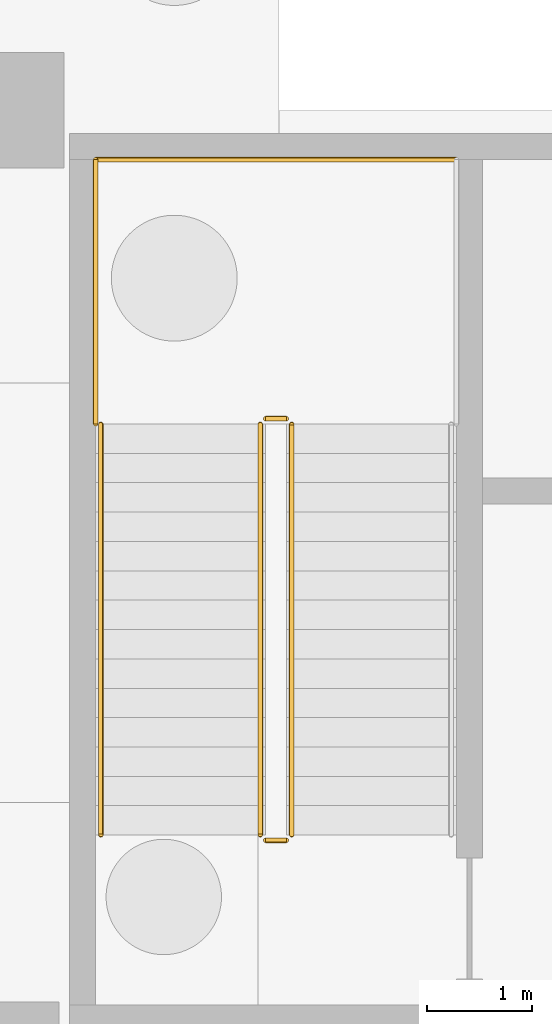
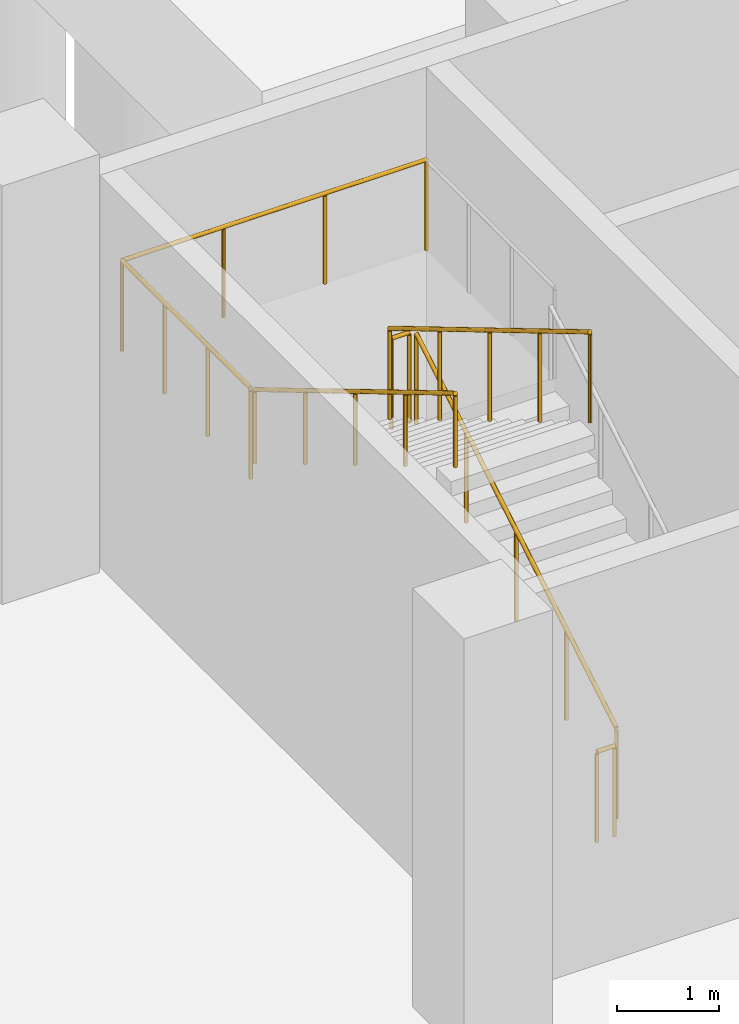
# One storey, part 26 of 37: 7 railings.
"""IFC4 building model written with IfcOpenShell, lengths in metres."""

from ifc_helpers import new_model, si_unit, direction, frame, origin, origin_2d, place, context, subcontext, project, spatial, circle, extrude, material, type_object, element, save


model = new_model("IFC4")

# Units and contexts
model_context = context("Model", 3, precision=1e-05, world=origin(), true_north=direction((0.0, 1.0)))
body_context = subcontext(model_context, "Body", "Model", "MODEL_VIEW")
ifc_project = project(units=[si_unit("LENGTHUNIT", "METRE"), si_unit("AREAUNIT", "SQUARE_METRE"), si_unit("VOLUMEUNIT", "CUBIC_METRE"), si_unit("PLANEANGLEUNIT", "RADIAN"), si_unit("MASSUNIT", "GRAM", prefix="KILO")], contexts=[model_context])

# Site, building, storey
site_placement = place(None, origin())
site = spatial("IfcSite", under=ifc_project, at=site_placement, CompositionType="ELEMENT")
building_placement = place(site_placement, origin())
building = spatial("IfcBuilding", under=site, at=building_placement, Name="Barlavento Convention Centre", CompositionType="ELEMENT")
storey_placement = place(building_placement, frame((0.0, 0.0, -5.0)))
storey = spatial("IfcBuildingStorey", under=building, at=storey_placement, Name="B1", CompositionType="ELEMENT", Elevation=-5.0)

# Railings
ifc_material_1 = material(Name="Stainless steel and laminated glass balustrade", Category="steel")
railing_type_1 = type_object("IfcRailingType", Name="ARC-RAL-BAL-1100", PredefinedType="BALUSTRADE", material=ifc_material_1)
railing_1_placement = place(storey_placement, frame((119.719970703125, 47.090087890625, 0.166748046875)))
element("IfcRailing", 1, at=railing_1_placement, inside=storey, type_object=railing_type_1, Name="B1 ST04 stair guard 1", PredefinedType="BALUSTRADE", context=body_context, shape_type="SweptSolid", body=[
    extrude(circle(Radius=0.02392578125, at=origin_2d()), frame((0.0, 0.0, 1.076171875), z_axis=(0.0, 0.859296244711, 0.511478214419), x_axis=(-1.0, 0.0, 0.0)), (0.0, 0.0, 1.0), 4.561767578125),
    extrude(circle(Radius=0.02099609375, at=origin_2d()), origin(), (0.0, 0.0, 1.0), 1.052001953125),
    extrude(circle(Radius=0.02099609375, at=origin_2d()), frame((0.0, 0.97998046875, 0.583251953125)), (0.0, 0.0, 1.0), 1.052001953125),
    extrude(circle(Radius=0.02099609375, at=origin_2d()), frame((0.0, 1.9599609375, 1.16650390625)), (0.0, 0.0, 1.0), 1.052001953125),
    extrude(circle(Radius=0.02099609375, at=origin_2d()), frame((0.0, 2.93994140625, 1.75)), (0.0, 0.0, 1.0), 1.052001953125),
    extrude(circle(Radius=0.02099609375, at=origin_2d()), frame((0.0, 3.919921875, 2.333251953125)), (0.0, 0.0, 1.0), 1.052001953125),
])
railing_2_placement = place(storey_placement, frame((119.669921875, 51.06005859375, 2.5)))
element("IfcRailing", 2, at=railing_2_placement, inside=storey, type_object=railing_type_1, Name="B1 ST04 stair guard 2", PredefinedType="BALUSTRADE", context=body_context, shape_type="SweptSolid", body=[
    extrude(circle(Radius=0.02392578125, at=origin_2d()), frame((0.0, 0.0, 1.076171875), z_axis=(-1.0, 0.0, 0.0), x_axis=(0.0, -1.0, 0.0)), (0.0, 0.0, 1.0), 0.199951171875),
    extrude(circle(Radius=0.02099609375, at=origin_2d()), origin(), (0.0, 0.0, 1.0), 1.052001953125),
    extrude(circle(Radius=0.02099609375, at=origin_2d()), frame((-0.199951171875, 0.0, 0.0)), (0.0, 0.0, 1.0), 1.052001953125),
])
railing_3_placement = place(storey_placement, frame((119.419921875, 51.010009765625, 2.666748046875)))
element("IfcRailing", 3, at=railing_3_placement, inside=storey, type_object=railing_type_1, Name="B1 ST04 stair guard 3", PredefinedType="BALUSTRADE", context=body_context, shape_type="SweptSolid", body=[
    extrude(circle(Radius=0.02392578125, at=origin_2d()), frame((0.0, 0.0, 1.076171875), z_axis=(0.0, -0.859296244711, 0.511478214419), x_axis=(1.0, 0.0, 0.0)), (0.0, 0.0, 1.0), 4.561767578125),
    extrude(circle(Radius=0.02099609375, at=origin_2d()), origin(), (0.0, 0.0, 1.0), 1.052001953125),
    extrude(circle(Radius=0.02099609375, at=origin_2d()), frame((0.0, -0.97998046875, 0.583251953125)), (0.0, 0.0, 1.0), 1.052001953125),
    extrude(circle(Radius=0.02099609375, at=origin_2d()), frame((0.0, -1.9599609375, 1.16650390625)), (0.0, 0.0, 1.0), 1.052001953125),
    extrude(circle(Radius=0.02099609375, at=origin_2d()), frame((0.0, -2.93994140625, 1.75)), (0.0, 0.0, 1.0), 1.052001953125),
    extrude(circle(Radius=0.02099609375, at=origin_2d()), frame((0.0, -3.919921875, 2.333251953125)), (0.0, 0.0, 1.0), 1.052001953125),
])
railing_4_placement = place(storey_placement, frame((119.669921875, 47.0400390625, 0.0)))
element("IfcRailing", 4, at=railing_4_placement, inside=storey, type_object=railing_type_1, Name="B1 ST04 stair guard 4", PredefinedType="BALUSTRADE", context=body_context, shape_type="SweptSolid", body=[
    extrude(circle(Radius=0.02392578125, at=origin_2d()), frame((0.0, 0.0, 1.076171875), z_axis=(-1.0, 0.0, 0.0), x_axis=(0.0, -1.0, 0.0)), (0.0, 0.0, 1.0), 0.199951171875),
    extrude(circle(Radius=0.02099609375, at=origin_2d()), origin(), (0.0, 0.0, 1.0), 1.052001953125),
    extrude(circle(Radius=0.02099609375, at=origin_2d()), frame((-0.199951171875, 0.0, 0.0)), (0.0, 0.0, 1.0), 1.052001953125),
])
railing_5_placement = place(storey_placement, frame((117.85009765625, 51.010009765625, 2.5)))
element("IfcRailing", 5, at=railing_5_placement, inside=storey, type_object=railing_type_1, Name="B1 landing guard GR01", PredefinedType="BALUSTRADE", context=body_context, shape_type="SweptSolid", body=[
    extrude(circle(Radius=0.02392578125, at=origin_2d()), frame((0.0, 0.0, 1.076171875), z_axis=(0.0, 1.0, 0.0), x_axis=(-1.0, 0.0, 0.0)), (0.0, 0.0, 1.0), 2.52001953125),
    extrude(circle(Radius=0.02099609375, at=origin_2d()), origin(), (0.0, 0.0, 1.0), 1.052001953125),
    extrude(circle(Radius=0.02099609375, at=origin_2d()), frame((0.0, 0.840087890625, 0.0)), (0.0, 0.0, 1.0), 1.052001953125),
    extrude(circle(Radius=0.02099609375, at=origin_2d()), frame((0.0, 1.679931640625, 0.0)), (0.0, 0.0, 1.0), 1.052001953125),
    extrude(circle(Radius=0.02099609375, at=origin_2d()), frame((0.0, 2.52001953125, 0.0)), (0.0, 0.0, 1.0), 1.052001953125),
])
railing_6_placement = place(storey_placement, frame((121.2900390625, 53.530029296875, 2.5)))
element("IfcRailing", 6, at=railing_6_placement, inside=storey, type_object=railing_type_1, Name="B1 landing guard GR01", PredefinedType="BALUSTRADE", context=body_context, shape_type="SweptSolid", body=[
    extrude(circle(Radius=0.02392578125, at=origin_2d()), frame((0.0, 0.0, 1.076171875), z_axis=(-1.0, 0.0, 0.0), x_axis=(0.0, -1.0, 0.0)), (0.0, 0.0, 1.0), 3.43994140625),
    extrude(circle(Radius=0.02099609375, at=origin_2d()), origin(), (0.0, 0.0, 1.0), 1.052001953125),
    extrude(circle(Radius=0.02099609375, at=origin_2d()), frame((-1.146728515625, 0.0, 0.0)), (0.0, 0.0, 1.0), 1.052001953125),
    extrude(circle(Radius=0.02099609375, at=origin_2d()), frame((-2.293212890625, 0.0, 0.0)), (0.0, 0.0, 1.0), 1.052001953125),
    extrude(circle(Radius=0.02099609375, at=origin_2d()), frame((-3.43994140625, 0.0, 0.0)), (0.0, 0.0, 1.0), 1.052001953125),
])
ifc_material_2 = material(Name="Brushed stainless steel tubular handrail", Category="steel")
railing_type_2 = type_object("IfcRailingType", Name="ARC-RAL-HR-900", PredefinedType="HANDRAIL", material=ifc_material_2)
railing_7_placement = place(storey_placement, frame((117.89990234375, 51.010009765625, 2.666748046875)))
element("IfcRailing", 7, at=railing_7_placement, inside=storey, type_object=railing_type_2, Name="B1 ST04 stair handrail 2", PredefinedType="HANDRAIL", context=body_context, shape_type="SweptSolid", body=[
    extrude(circle(Radius=0.02392578125, at=origin_2d()), frame((0.0, 0.0, 0.8759765625), z_axis=(0.0, -0.859296244711, 0.511478214419), x_axis=(1.0, 0.0, 0.0)), (0.0, 0.0, 1.0), 4.561767578125),
    extrude(circle(Radius=0.02099609375, at=origin_2d()), origin(), (0.0, 0.0, 1.0), 0.851806640625),
    extrude(circle(Radius=0.02099609375, at=origin_2d()), frame((0.0, -0.97998046875, 0.583251953125)), (0.0, 0.0, 1.0), 0.851806640625),
    extrude(circle(Radius=0.02099609375, at=origin_2d()), frame((0.0, -1.9599609375, 1.16650390625)), (0.0, 0.0, 1.0), 0.851806640625),
    extrude(circle(Radius=0.02099609375, at=origin_2d()), frame((0.0, -2.93994140625, 1.75)), (0.0, 0.0, 1.0), 0.851806640625),
    extrude(circle(Radius=0.02099609375, at=origin_2d()), frame((0.0, -3.919921875, 2.333251953125)), (0.0, 0.0, 1.0), 0.851806640625),
])

save(model, "model.ifc")
